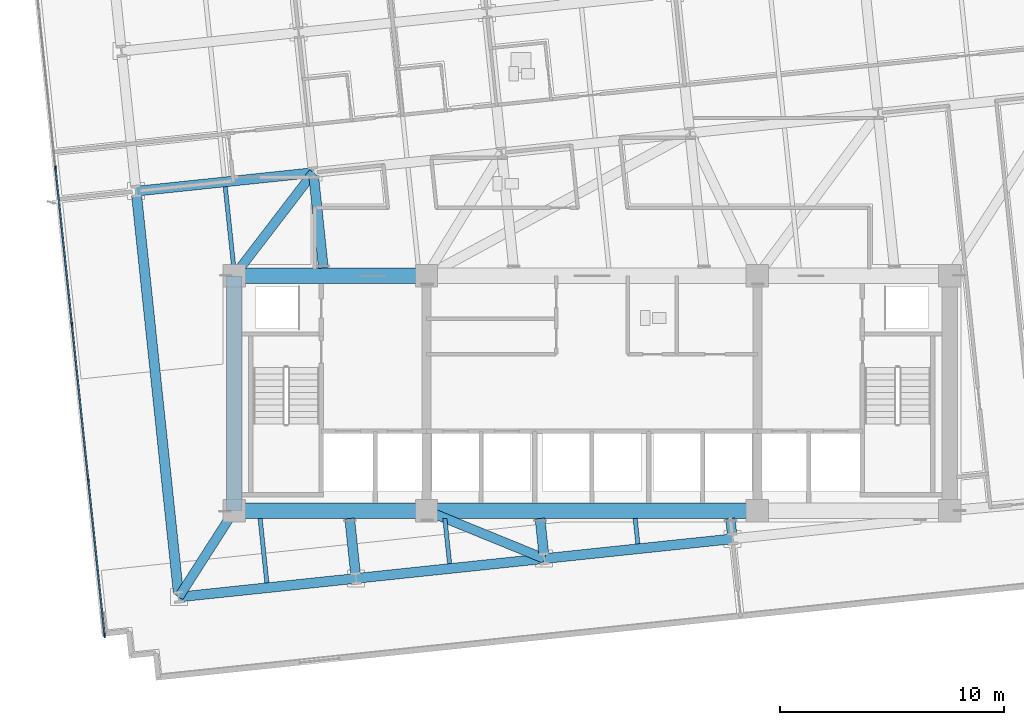
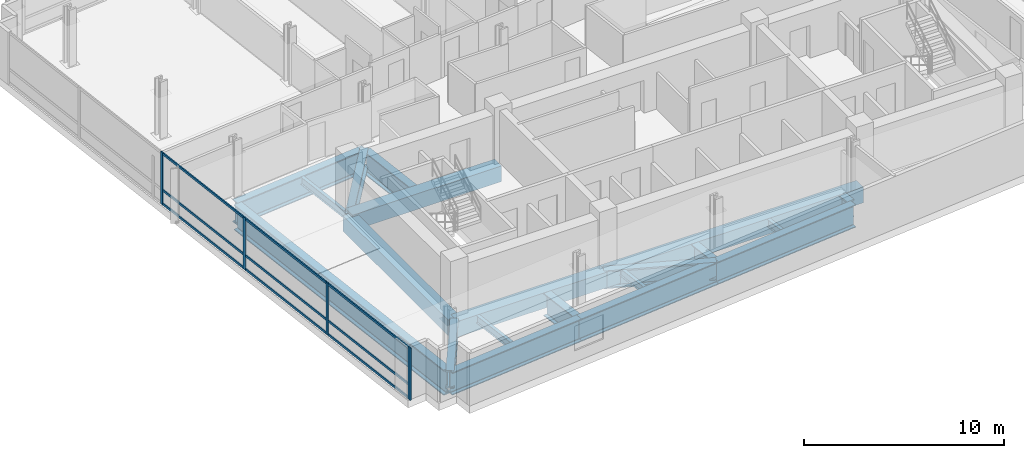
# One storey, part 2 of 18: 20 beams, 13 members, 1 element without a shape of its own.
"""IFC4 building model written with IfcOpenShell, lengths in metres."""

from ifc_helpers import new_model, si_unit, direction, frame, origin, origin_2d, place, context, subcontext, project, spatial, rectangle, i_section, extrude, material, material_profile, profile_set, type_object, element, aggregate, save


model = new_model("IFC4")

# Units and contexts
model_context = context("Model", 3, precision=1e-05, world=origin(), true_north=direction((0.0, 1.0)))
body_context = subcontext(model_context, "Body", "Model", "MODEL_VIEW")
ifc_project = project(units=[si_unit("LENGTHUNIT", "METRE"), si_unit("AREAUNIT", "SQUARE_METRE"), si_unit("VOLUMEUNIT", "CUBIC_METRE"), si_unit("PLANEANGLEUNIT", "RADIAN"), si_unit("MASSUNIT", "GRAM", prefix="KILO")], contexts=[model_context])

# Site, building, storey
site_placement = place(None, origin())
site = spatial("IfcSite", under=ifc_project, at=site_placement, CompositionType="ELEMENT")
building_placement = place(site_placement, origin())
building = spatial("IfcBuilding", under=site, at=building_placement, Name="Solmavex Isthmus Hotel", CompositionType="ELEMENT")
storey_placement = place(building_placement, frame((0.0, 0.0, 80.10009765625)))
storey = spatial("IfcBuildingStorey", under=building, at=storey_placement, Name="L21", CompositionType="ELEMENT", Elevation=80.10009765625)

# Beams
ifc_material_1 = material(Name="Steel ASTM A992 Grade 50", Category="steel")
ifc_material_profile_1 = material_profile(ifc_material_1, i_section(OverallWidth=0.1904296875, OverallDepth=0.456787109375, WebThickness=0.009033203125, FlangeThickness=0.014404296875, FilletRadius=0.0126953125, at=origin_2d()), Name="W18X50")
ifc_profile_set_1 = profile_set([ifc_material_profile_1], Name="Steel ASTM A992 Grade 50")
beam_type_1 = type_object("IfcBeamType", Name="BM-BJ-W18X50", PredefinedType="JOIST", material=ifc_profile_set_1)
beam_1_placement = place(storey_placement, frame((-14.536376953125, -16.22900390625, -0.678466796875), z_axis=(-0.104496001946, 0.994525306655, 0.0), x_axis=(-0.994525306655, -0.104496001946, 0.0)))
element("IfcBeam", 1, at=beam_1_placement, inside=storey, type_object=beam_type_1, Name="Secondary Floor Joist L21-J01", PredefinedType="JOIST", context=body_context, shape_type="SweptSolid", body=[
    extrude(i_section(OverallWidth=0.1904296875, OverallDepth=0.456787109375, WebThickness=0.009033203125, FlangeThickness=0.014404296875, FilletRadius=0.0126953125, at=origin_2d()), origin(), (0.0, 0.0, 1.0), 2.894775390625),
])
beam_2_placement = place(storey_placement, frame((-16.01611328125, -2.14990234375, -0.678466796875), z_axis=(-0.104517806482, 0.994523015384, 0.0), x_axis=(-0.994523015384, -0.104517806482, 0.0)))
element("IfcBeam", 2, at=beam_2_placement, inside=storey, type_object=beam_type_1, Name="Secondary Floor Joist L21-J02", PredefinedType="JOIST", context=body_context, shape_type="SweptSolid", body=[
    extrude(i_section(OverallWidth=0.1904296875, OverallDepth=0.456787109375, WebThickness=0.009033203125, FlangeThickness=0.014404296875, FilletRadius=0.0126953125, at=origin_2d()), origin(), (0.0, 0.0, 1.0), 3.6533203125),
])
beam_3_placement = place(storey_placement, frame((-6.3642578125, -15.3701171875, -0.678466796875), z_axis=(-0.104572160075, 0.994517301678, 0.0), x_axis=(-0.994517301678, -0.104572160075, 0.0)))
element("IfcBeam", 3, at=beam_3_placement, inside=storey, type_object=beam_type_1, Name="Secondary Floor Joist L21-J05", PredefinedType="JOIST", context=body_context, shape_type="SweptSolid", body=[
    extrude(i_section(OverallWidth=0.1904296875, OverallDepth=0.456787109375, WebThickness=0.009033203125, FlangeThickness=0.014404296875, FilletRadius=0.0126953125, at=origin_2d()), origin(), (0.0, 0.0, 1.0), 2.03125),
])
beam_4_placement = place(storey_placement, frame((2.055419921875, -14.485107421875, -0.678466796875), z_axis=(-0.104606835298, 0.994513655014, 0.0), x_axis=(-0.994513655014, -0.104606835298, 0.0)))
element("IfcBeam", 4, at=beam_4_placement, inside=storey, type_object=beam_type_1, Name="Secondary Floor Joist L21-J09", PredefinedType="JOIST", context=body_context, shape_type="SweptSolid", body=[
    extrude(i_section(OverallWidth=0.1904296875, OverallDepth=0.456787109375, WebThickness=0.009033203125, FlangeThickness=0.014404296875, FilletRadius=0.0126953125, at=origin_2d()), origin(), (0.0, 0.0, 1.0), 1.141357421875),
])
ifc_material_2 = material(Name="Concrete C60/75", Category="concrete")
ifc_material_profile_2 = material_profile(ifc_material_2, rectangle(XDim=0.699951171875, YDim=0.949951171875, at=origin_2d()), Name="RC700X950")
ifc_profile_set_2 = profile_set([ifc_material_profile_2], Name="Concrete C60/75")
beam_type_2 = type_object("IfcBeamType", Name="BM-CB-700X950", PredefinedType="BEAM", material=ifc_profile_set_2)
beam_5_placement = place(storey_placement, frame((-16.0, -13.0, -0.925048828125), z_axis=(1.0, 0.0, 0.0), x_axis=(0.0, 1.0, 0.0)))
element("IfcBeam", 5, at=beam_5_placement, inside=storey, type_object=beam_type_2, Name="Core Coupling Beam L21-CB1", PredefinedType="BEAM", context=body_context, shape_type="SweptSolid", body=[
    extrude(rectangle(XDim=0.699951171875, YDim=0.949951171875, at=origin_2d()), origin(), (0.0, 0.0, 1.0), 8.60009765625),
])
beam_6_placement = place(storey_placement, frame((-7.39990234375, -13.0, -0.925048828125), z_axis=(1.0, 0.0, 0.0), x_axis=(0.0, 1.0, 0.0)))
element("IfcBeam", 6, at=beam_6_placement, inside=storey, type_object=beam_type_2, Name="Core Coupling Beam L21-CB2", PredefinedType="BEAM", context=body_context, shape_type="SweptSolid", body=[
    extrude(rectangle(XDim=0.699951171875, YDim=0.949951171875, at=origin_2d()), origin(), (0.0, 0.0, 1.0), 14.7998046875),
])
beam_7_placement = place(storey_placement, frame((-16.0, -2.5, -0.815185546875), z_axis=(1.0, 0.0, 0.0), x_axis=(0.0, 1.0, 0.0)))
element("IfcBeam", 7, at=beam_7_placement, inside=storey, type_object=beam_type_2, Name="Core Coupling Beam L21-CB4", PredefinedType="BEAM", context=body_context, shape_type="SweptSolid", body=[
    extrude(rectangle(XDim=0.699951171875, YDim=0.949951171875, at=origin_2d()), origin(), (0.0, 0.0, 1.0), 8.60009765625),
])
beam_8_placement = place(storey_placement, frame((-16.0, -13.0, -0.925048828125), z_axis=(0.0, 1.0, 0.0), x_axis=(-1.0, 0.0, 0.0)))
element("IfcBeam", 8, at=beam_8_placement, inside=storey, type_object=beam_type_2, Name="Core Coupling Beam L21-CB7", PredefinedType="BEAM", context=body_context, shape_type="SweptSolid", body=[
    extrude(rectangle(XDim=0.699951171875, YDim=0.949951171875, at=origin_2d()), origin(), (0.0, 0.0, 1.0), 10.5),
])
ifc_material_3 = material(Name="Steel ASTM A572 Grade 50", Category="steel")
ifc_material_profile_3 = material_profile(ifc_material_3, i_section(OverallWidth=0.449951171875, OverallDepth=1.550048828125, WebThickness=0.031982421875, FlangeThickness=0.06494140625, FilletRadius=0.030517578125, at=origin_2d()), Name="I1550X450")
ifc_profile_set_3 = profile_set([ifc_material_profile_3], Name="Steel ASTM A572 Grade 50")
beam_type_3 = type_object("IfcBeamType", Name="BM-TB-G1550", PredefinedType="BEAM", material=ifc_profile_set_3)
beam_9_placement = place(storey_placement, frame((-18.49853515625, -16.6455078125, -1.22509765625), z_axis=(-0.104524229431, 0.994522340353, 0.0), x_axis=(-0.994522340353, -0.104524229431, 0.0)))
element("IfcBeam", 9, at=beam_9_placement, inside=storey, type_object=beam_type_3, Name="Outrigger Collector Beam L21-VG23", PredefinedType="BEAM", context=body_context, shape_type="SweptSolid", body=[
    extrude(i_section(OverallWidth=0.449951171875, OverallDepth=1.550048828125, WebThickness=0.031982421875, FlangeThickness=0.06494140625, FilletRadius=0.030517578125, at=origin_2d()), origin(), (0.0, 0.0, 1.0), 17.81005859375),
])
ifc_material_4 = material(Name="Steel ASTM A913 Grade 65", Category="steel")
ifc_material_profile_4 = material_profile(ifc_material_4, i_section(OverallWidth=0.42431640625, OverallDepth=1.09228515625, WebThickness=0.04541015625, FlangeThickness=0.08203125, FilletRadius=0.030517578125, at=origin_2d()), Name="W40X593")
ifc_profile_set_4 = profile_set([ifc_material_profile_4], Name="Steel ASTM A913 Grade 65")
beam_type_4 = type_object("IfcBeamType", Name="BM-TB-W40X397", PredefinedType="BEAM", material=ifc_profile_set_4)
beam_10_placement = place(storey_placement, frame((-16.0, -2.5, -0.99609375), z_axis=(0.60846324674, 0.79358205459, 0.0), x_axis=(-0.79358205459, 0.60846324674, 0.0)))
element("IfcBeam", 10, at=beam_10_placement, inside=storey, type_object=beam_type_4, Name="Core Outrigger Strut L20-OTNW", PredefinedType="BEAM", context=body_context, shape_type="SweptSolid", body=[
    extrude(i_section(OverallWidth=0.42431640625, OverallDepth=1.09228515625, WebThickness=0.04541015625, FlangeThickness=0.08203125, FilletRadius=0.030517578125, at=origin_2d()), origin(), (0.0, 0.0, 1.0), 5.820068359375),
])
beam_11_placement = place(storey_placement, frame((-16.0, -13.0, -0.99609375), z_axis=(-0.539396342911, -0.84205200864, 0.0), x_axis=(0.84205200864, -0.539396342911, 0.0)))
element("IfcBeam", 11, at=beam_11_placement, inside=storey, type_object=beam_type_4, Name="Core Outrigger Strut L20-OTSW", PredefinedType="BEAM", context=body_context, shape_type="SweptSolid", body=[
    extrude(i_section(OverallWidth=0.42431640625, OverallDepth=1.09228515625, WebThickness=0.04541015625, FlangeThickness=0.08203125, FilletRadius=0.030517578125, at=origin_2d()), origin(), (0.0, 0.0, 1.0), 4.589111328125),
])
beam_12_placement = place(storey_placement, frame((-7.39990234375, -13.0, -0.99609375), z_axis=(0.926084028794, -0.377317335426, 0.0), x_axis=(0.377317335426, 0.926084028794, 0.0)))
element("IfcBeam", 12, at=beam_12_placement, inside=storey, type_object=beam_type_4, Name="Core Outrigger Strut L20-OTS1", PredefinedType="BEAM", context=body_context, shape_type="SweptSolid", body=[
    extrude(i_section(OverallWidth=0.42431640625, OverallDepth=1.09228515625, WebThickness=0.04541015625, FlangeThickness=0.08203125, FilletRadius=0.030517578125, at=origin_2d()), origin(), (0.0, 0.0, 1.0), 5.688720703125),
])
ifc_material_profile_5 = material_profile(ifc_material_3, i_section(OverallWidth=0.43994140625, OverallDepth=1.3798828125, WebThickness=0.030029296875, FlangeThickness=0.054931640625, FilletRadius=0.030517578125, at=origin_2d()), Name="I1380X440")
ifc_profile_set_5 = profile_set([ifc_material_profile_5], Name="Steel ASTM A572 Grade 50")
beam_type_5 = type_object("IfcBeamType", Name="BM-TG-I1380", PredefinedType="BEAM", material=ifc_profile_set_5)
beam_13_placement = place(storey_placement, frame((-18.475341796875, -16.8642578125, -1.14013671875), z_axis=(0.994523402738, 0.104514120609, 0.0), x_axis=(-0.104514120609, 0.994523402738, 0.0)))
element("IfcBeam", 13, at=beam_13_placement, inside=storey, type_object=beam_type_5, Name="Outrigger Collector Girder L21-UG01", PredefinedType="BEAM", context=body_context, shape_type="SweptSolid", body=[
    extrude(i_section(OverallWidth=0.43994140625, OverallDepth=1.3798828125, WebThickness=0.030029296875, FlangeThickness=0.054931640625, FilletRadius=0.030517578125, at=origin_2d()), origin(), (0.0, 0.0, 1.0), 7.968017578125),
])
beam_14_placement = place(storey_placement, frame((-10.551025390625, -16.031494140625, -1.14013671875), z_axis=(0.994520770064, 0.104539169271, 0.0), x_axis=(-0.104539169271, 0.994520770064, 0.0)))
element("IfcBeam", 14, at=beam_14_placement, inside=storey, type_object=beam_type_5, Name="Outrigger Collector Girder L21-UG02", PredefinedType="BEAM", context=body_context, shape_type="SweptSolid", body=[
    extrude(i_section(OverallWidth=0.43994140625, OverallDepth=1.3798828125, WebThickness=0.030029296875, FlangeThickness=0.054931640625, FilletRadius=0.030517578125, at=origin_2d()), origin(), (0.0, 0.0, 1.0), 8.4658203125),
])
beam_15_placement = place(storey_placement, frame((-2.131591796875, -15.146484375, -1.14013671875), z_axis=(0.994521085209, 0.104536171134, 0.0), x_axis=(-0.104536171134, 0.994521085209, 0.0)))
element("IfcBeam", 15, at=beam_15_placement, inside=storey, type_object=beam_type_5, Name="Outrigger Collector Girder L21-UG03", PredefinedType="BEAM", context=body_context, shape_type="SweptSolid", body=[
    extrude(i_section(OverallWidth=0.43994140625, OverallDepth=1.3798828125, WebThickness=0.030029296875, FlangeThickness=0.054931640625, FilletRadius=0.030517578125, at=origin_2d()), origin(), (0.0, 0.0, 1.0), 8.466064453125),
])
beam_16_placement = place(storey_placement, frame((-20.383056640625, 1.28564453125, -1.14013671875), z_axis=(0.994520217478, 0.10454442609, 0.0), x_axis=(-0.10454442609, 0.994520217478, 0.0)))
element("IfcBeam", 16, at=beam_16_placement, inside=storey, type_object=beam_type_5, Name="Outrigger Collector Girder L21-UG05", PredefinedType="BEAM", context=body_context, shape_type="SweptSolid", body=[
    extrude(i_section(OverallWidth=0.43994140625, OverallDepth=1.3798828125, WebThickness=0.030029296875, FlangeThickness=0.054931640625, FilletRadius=0.030517578125, at=origin_2d()), origin(), (0.0, 0.0, 1.0), 7.968017578125),
])
beam_17_placement = place(storey_placement, frame((-10.57421875, -15.8125, -1.14013671875), z_axis=(-0.10452053268, 0.994522728875, 0.0), x_axis=(-0.994522728875, -0.10452053268, 0.0)))
element("IfcBeam", 17, at=beam_17_placement, inside=storey, type_object=beam_type_5, Name="Outrigger Collector Beam L21-VG26", PredefinedType="BEAM", context=body_context, shape_type="SweptSolid", body=[
    extrude(i_section(OverallWidth=0.43994140625, OverallDepth=1.3798828125, WebThickness=0.030029296875, FlangeThickness=0.054931640625, FilletRadius=0.030517578125, at=origin_2d()), origin(), (0.0, 0.0, 1.0), 2.47607421875),
])
beam_18_placement = place(storey_placement, frame((-12.010009765625, -2.14990234375, -1.14013671875), z_axis=(-0.104559947762, 0.994518585711, 0.0), x_axis=(-0.994518585711, -0.104559947762, 0.0)))
element("IfcBeam", 18, at=beam_18_placement, inside=storey, type_object=beam_type_5, Name="Outrigger Collector Beam L21-VG27", PredefinedType="BEAM", context=body_context, shape_type="SweptSolid", body=[
    extrude(i_section(OverallWidth=0.43994140625, OverallDepth=1.3798828125, WebThickness=0.030029296875, FlangeThickness=0.054931640625, FilletRadius=0.030517578125, at=origin_2d()), origin(), (0.0, 0.0, 1.0), 4.072021484375),
])
beam_19_placement = place(storey_placement, frame((-2.154541015625, -14.927734375, -1.14013671875), z_axis=(-0.104500520098, 0.994524831917, 0.0), x_axis=(-0.994524831917, -0.104500520098, 0.0)))
element("IfcBeam", 19, at=beam_19_placement, inside=storey, type_object=beam_type_5, Name="Outrigger Collector Beam L21-VG30", PredefinedType="BEAM", context=body_context, shape_type="SweptSolid", body=[
    extrude(i_section(OverallWidth=0.43994140625, OverallDepth=1.3798828125, WebThickness=0.030029296875, FlangeThickness=0.054931640625, FilletRadius=0.030517578125, at=origin_2d()), origin(), (0.0, 0.0, 1.0), 1.58642578125),
])
ifc_material_profile_6 = material_profile(ifc_material_4, i_section(OverallWidth=0.42431640625, OverallDepth=1.09228515625, WebThickness=0.04541015625, FlangeThickness=0.08203125, FilletRadius=0.030517578125, at=origin_2d()), Name="W40X593")
ifc_profile_set_6 = profile_set([ifc_material_profile_6], Name="Steel ASTM A913 Grade 65")
beam_type_6 = type_object("IfcBeamType", Name="BM-TG-W40X593", PredefinedType="BEAM", material=ifc_profile_set_6)
beam_20_placement = place(storey_placement, frame((6.26513671875, -14.042724609375, -0.99609375), z_axis=(-0.10446580429, 0.994528479097, 0.0), x_axis=(-0.994528479097, -0.10446580429, 0.0)))
element("IfcBeam", 20, at=beam_20_placement, inside=storey, type_object=beam_type_6, Name="Outrigger Collector Beam L21-VG34", PredefinedType="BEAM", context=body_context, shape_type="SweptSolid", body=[
    extrude(i_section(OverallWidth=0.42431640625, OverallDepth=1.09228515625, WebThickness=0.04541015625, FlangeThickness=0.08203125, FilletRadius=0.030517578125, at=origin_2d()), origin(), (0.0, 0.0, 1.0), 0.696533203125),
])

# Curtain wall, members
ifc_material_5 = material(Name="Aluminium alloy 6063-T6", Category="aluminium")
curtain_wall_type = type_object("IfcCurtainWallType", Name="CW-SYS-03", PredefinedType="NOTDEFINED", material=ifc_material_5)
curtain_wall_placement = place(storey_placement, origin())
curtain_wall = element("IfcCurtainWall", 21, at=curtain_wall_placement, inside=storey, type_object=curtain_wall_type, Name="Stick Curtain Wall CWL-L21-W1", PredefinedType="NOTDEFINED")
ifc_material_profile_7 = material_profile(ifc_material_5, rectangle(XDim=0.070068359375, YDim=0.179931640625, at=origin_2d()), Name="CWM-70X180")
ifc_profile_set_7 = profile_set([ifc_material_profile_7], Name="Aluminium alloy 6063-T6")
member_type_1 = type_object("IfcMemberType", Name="CW-SYS-03-MUL", PredefinedType="MULLION", material=ifc_profile_set_7)
member_1_placement = place(storey_placement, frame((-21.793701171875, -18.585693359375, 0.0), z_axis=(0.0, 0.0, 1.0), x_axis=(-0.994521893044, -0.104528485381, 0.0)))
member_1 = element("IfcMember", 22, at=member_1_placement, type_object=member_type_1, Name="CW-03 mullion 1", PredefinedType="MULLION", context=body_context, shape_type="SweptSolid", body=[
    extrude(rectangle(XDim=0.070068359375, YDim=0.179931640625, at=origin_2d()), origin(), (0.0, 0.0, 1.0), 3.18994140625),
])
member_2_placement = place(storey_placement, frame((-22.52392578125, -11.638916015625, 0.0), z_axis=(0.0, 0.0, 1.0), x_axis=(-0.994521893044, -0.104528485381, 0.0)))
member_2 = element("IfcMember", 23, at=member_2_placement, type_object=member_type_1, Name="CW-03 mullion 2", PredefinedType="MULLION", context=body_context, shape_type="SweptSolid", body=[
    extrude(rectangle(XDim=0.070068359375, YDim=0.179931640625, at=origin_2d()), origin(), (0.0, 0.0, 1.0), 3.18994140625),
])
member_3_placement = place(storey_placement, frame((-23.257568359375, -4.6572265625, 0.0), z_axis=(0.0, 0.0, 1.0), x_axis=(-0.994521893044, -0.104528485381, 0.0)))
member_3 = element("IfcMember", 24, at=member_3_placement, type_object=member_type_1, Name="CW-03 mullion 3", PredefinedType="MULLION", context=body_context, shape_type="SweptSolid", body=[
    extrude(rectangle(XDim=0.070068359375, YDim=0.179931640625, at=origin_2d()), origin(), (0.0, 0.0, 1.0), 3.18994140625),
])
member_4_placement = place(storey_placement, frame((-23.991455078125, 2.32421875, 0.0), z_axis=(0.0, 0.0, 1.0), x_axis=(-0.994521893044, -0.104528485381, 0.0)))
member_4 = element("IfcMember", 25, at=member_4_placement, type_object=member_type_1, Name="CW-03 mullion 4", PredefinedType="MULLION", context=body_context, shape_type="SweptSolid", body=[
    extrude(rectangle(XDim=0.070068359375, YDim=0.179931640625, at=origin_2d()), origin(), (0.0, 0.0, 1.0), 3.18994140625),
])
ifc_material_profile_8 = material_profile(ifc_material_5, rectangle(XDim=0.070068359375, YDim=0.139892578125, at=origin_2d()), Name="CWT-70X140")
ifc_profile_set_8 = profile_set([ifc_material_profile_8], Name="Aluminium alloy 6063-T6")
member_type_2 = type_object("IfcMemberType", Name="CW-SYS-03-TRN", PredefinedType="USERDEFINED", material=ifc_profile_set_8)
member_5_placement = place(storey_placement, frame((-21.79736328125, -18.55078125, 0.06982421875), z_axis=(-0.104539595565, 0.994520725254, 0.0), x_axis=(-0.994520725254, -0.104539595565, 0.0)))
member_5 = element("IfcMember", 26, at=member_5_placement, type_object=member_type_2, Name="CW-03 transom 1.1", ObjectType="TRANSOM", PredefinedType="USERDEFINED", context=body_context, shape_type="SweptSolid", body=[
    extrude(rectangle(XDim=0.070068359375, YDim=0.139892578125, at=origin_2d()), origin(), (0.0, 0.0, 1.0), 6.9150390625),
])
member_6_placement = place(storey_placement, frame((-21.79736328125, -18.55078125, 0.89990234375), z_axis=(-0.104539595565, 0.994520725254, 0.0), x_axis=(-0.994520725254, -0.104539595565, 0.0)))
member_6 = element("IfcMember", 27, at=member_6_placement, type_object=member_type_2, Name="CW-03 transom 1.2", ObjectType="TRANSOM", PredefinedType="USERDEFINED", context=body_context, shape_type="SweptSolid", body=[
    extrude(rectangle(XDim=0.070068359375, YDim=0.139892578125, at=origin_2d()), origin(), (0.0, 0.0, 1.0), 6.9150390625),
])
member_7_placement = place(storey_placement, frame((-21.79736328125, -18.55078125, 3.119873046875), z_axis=(-0.104539595565, 0.994520725254, 0.0), x_axis=(-0.994520725254, -0.104539595565, 0.0)))
member_7 = element("IfcMember", 28, at=member_7_placement, type_object=member_type_2, Name="CW-03 transom 1.3", ObjectType="TRANSOM", PredefinedType="USERDEFINED", context=body_context, shape_type="SweptSolid", body=[
    extrude(rectangle(XDim=0.070068359375, YDim=0.139892578125, at=origin_2d()), origin(), (0.0, 0.0, 1.0), 6.9150390625),
])
member_8_placement = place(storey_placement, frame((-22.527587890625, -11.60400390625, 0.06982421875), z_axis=(-0.104507407784, 0.994524108163, 0.0), x_axis=(-0.994524108163, -0.104507407784, 0.0)))
member_8 = element("IfcMember", 29, at=member_8_placement, type_object=member_type_2, Name="CW-03 transom 2.1", ObjectType="TRANSOM", PredefinedType="USERDEFINED", context=body_context, shape_type="SweptSolid", body=[
    extrude(rectangle(XDim=0.070068359375, YDim=0.139892578125, at=origin_2d()), origin(), (0.0, 0.0, 1.0), 6.949951171875),
])
member_9_placement = place(storey_placement, frame((-22.527587890625, -11.60400390625, 0.89990234375), z_axis=(-0.104507407784, 0.994524108163, 0.0), x_axis=(-0.994524108163, -0.104507407784, 0.0)))
member_9 = element("IfcMember", 30, at=member_9_placement, type_object=member_type_2, Name="CW-03 transom 2.2", ObjectType="TRANSOM", PredefinedType="USERDEFINED", context=body_context, shape_type="SweptSolid", body=[
    extrude(rectangle(XDim=0.070068359375, YDim=0.139892578125, at=origin_2d()), origin(), (0.0, 0.0, 1.0), 6.949951171875),
])
member_10_placement = place(storey_placement, frame((-22.527587890625, -11.60400390625, 3.119873046875), z_axis=(-0.104507407784, 0.994524108163, 0.0), x_axis=(-0.994524108163, -0.104507407784, 0.0)))
member_10 = element("IfcMember", 31, at=member_10_placement, type_object=member_type_2, Name="CW-03 transom 2.3", ObjectType="TRANSOM", PredefinedType="USERDEFINED", context=body_context, shape_type="SweptSolid", body=[
    extrude(rectangle(XDim=0.070068359375, YDim=0.139892578125, at=origin_2d()), origin(), (0.0, 0.0, 1.0), 6.949951171875),
])
member_11_placement = place(storey_placement, frame((-23.26123046875, -4.62255859375, 0.06982421875), z_axis=(-0.104538500317, 0.994520840381, 0.0), x_axis=(-0.994520840381, -0.104538500317, 0.0)))
member_11 = element("IfcMember", 32, at=member_11_placement, type_object=member_type_2, Name="CW-03 transom 3.1", ObjectType="TRANSOM", PredefinedType="USERDEFINED", context=body_context, shape_type="SweptSolid", body=[
    extrude(rectangle(XDim=0.070068359375, YDim=0.139892578125, at=origin_2d()), origin(), (0.0, 0.0, 1.0), 6.9501953125),
])
member_12_placement = place(storey_placement, frame((-23.26123046875, -4.62255859375, 0.89990234375), z_axis=(-0.104538500317, 0.994520840381, 0.0), x_axis=(-0.994520840381, -0.104538500317, 0.0)))
member_12 = element("IfcMember", 33, at=member_12_placement, type_object=member_type_2, Name="CW-03 transom 3.2", ObjectType="TRANSOM", PredefinedType="USERDEFINED", context=body_context, shape_type="SweptSolid", body=[
    extrude(rectangle(XDim=0.070068359375, YDim=0.139892578125, at=origin_2d()), origin(), (0.0, 0.0, 1.0), 6.9501953125),
])
member_13_placement = place(storey_placement, frame((-23.26123046875, -4.62255859375, 3.119873046875), z_axis=(-0.104538500317, 0.994520840381, 0.0), x_axis=(-0.994520840381, -0.104538500317, 0.0)))
member_13 = element("IfcMember", 34, at=member_13_placement, type_object=member_type_2, Name="CW-03 transom 3.3", ObjectType="TRANSOM", PredefinedType="USERDEFINED", context=body_context, shape_type="SweptSolid", body=[
    extrude(rectangle(XDim=0.070068359375, YDim=0.139892578125, at=origin_2d()), origin(), (0.0, 0.0, 1.0), 6.9501953125),
])
aggregate(curtain_wall, [member_1, member_2, member_3, member_4, member_5, member_6, member_7, member_8, member_9, member_10, member_11, member_12, member_13])

save(model, "model.ifc")
